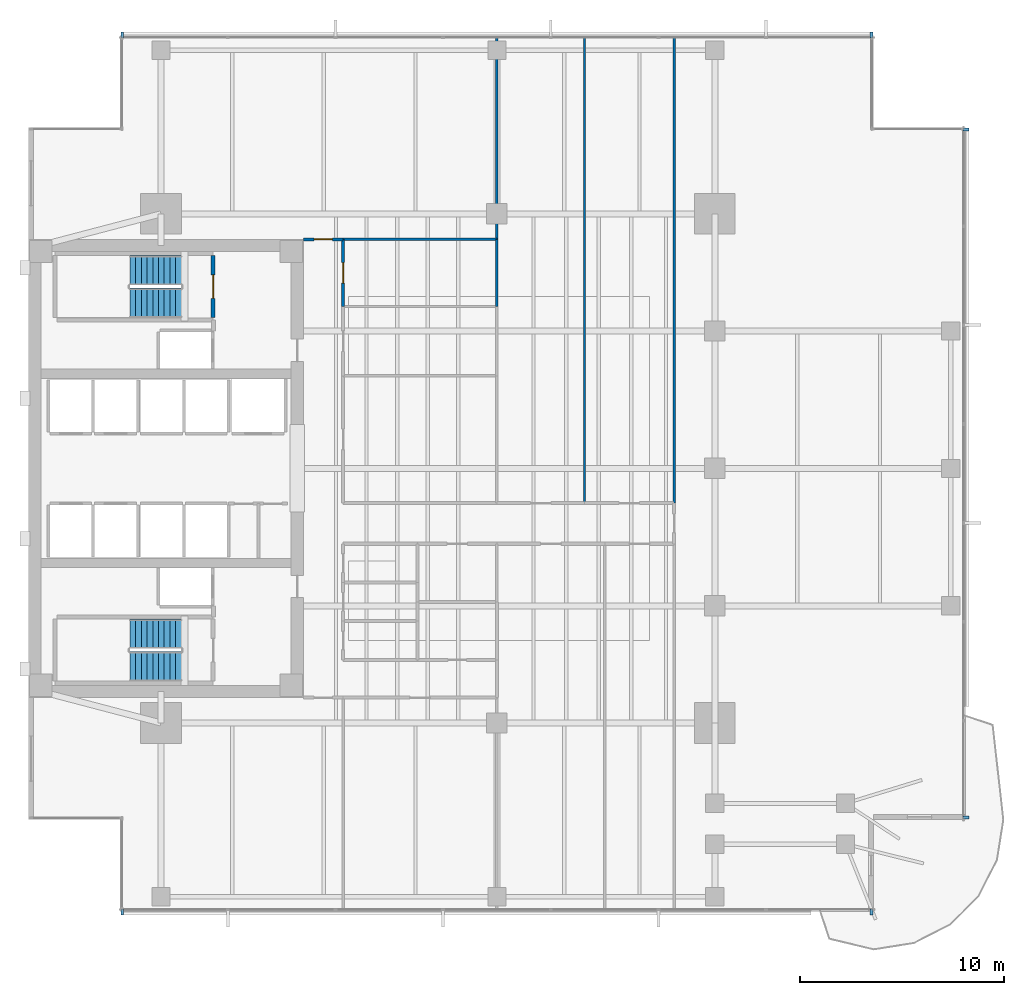
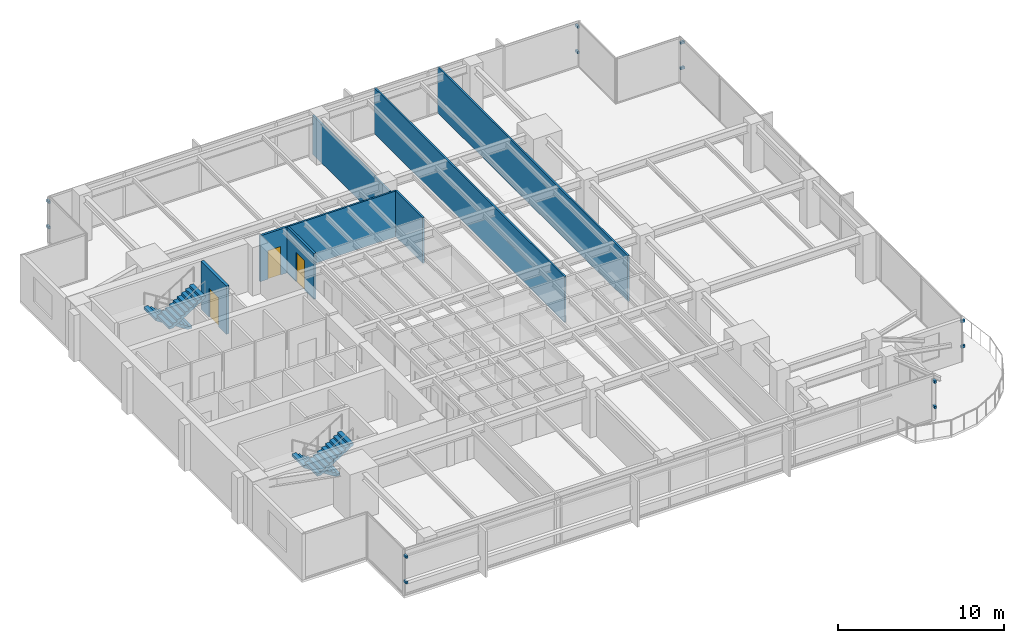
# One storey, part 10 of 14: 12 discrete accessories, 8 walls, 4 stair flights, 3 doors, 3 openings, 2 elements without a shape of their own.
"""IFC4 building model written with IfcOpenShell, lengths in metres."""

from ifc_helpers import new_model, si_unit, direction, frame, frame_2d, origin, origin_2d, place, context, subcontext, project, spatial, polyline, rectangle, outline, extrude, material, layer, layer_set, type_object, element, fill, aggregate, save


model = new_model("IFC4")

# Units and contexts
model_context = context("Model", 3, precision=1e-05, world=origin(), true_north=direction((0.0, 1.0)))
body_context = subcontext(model_context, "Body", "Model", "MODEL_VIEW")
ifc_project = project(units=[si_unit("LENGTHUNIT", "METRE"), si_unit("AREAUNIT", "SQUARE_METRE"), si_unit("VOLUMEUNIT", "CUBIC_METRE"), si_unit("PLANEANGLEUNIT", "RADIAN"), si_unit("MASSUNIT", "GRAM", prefix="KILO")], contexts=[model_context])

# Site, building, storey
site_placement = place(None, origin())
site = spatial("IfcSite", under=ifc_project, at=site_placement, CompositionType="ELEMENT")
building_placement = place(site_placement, origin())
building = spatial("IfcBuilding", under=site, at=building_placement, Name="Kinhvarn Gate Tower", CompositionType="ELEMENT")
storey_placement = place(building_placement, frame((0.0, 0.0, 134.199951171875)))
storey = spatial("IfcBuildingStorey", under=building, at=storey_placement, Name="L35", CompositionType="ELEMENT", Elevation=134.199951171875)

# Walls
ifc_material_1 = material(Name="Gypsum acoustic partition board")
ifc_layer_1 = layer(ifc_material_1, 0.1201171875)
ifc_layer_set_1 = layer_set([ifc_layer_1], Name="Gypsum acoustic partition board")
wall_type_1 = type_object("IfcWallType", Name="WL-PRT-120", PredefinedType="PARTITIONING", material=ifc_layer_set_1)
wall_1_placement = place(storey_placement, frame((19.949951171875, 36.5, 0.0), z_axis=(0.0, 0.0, 1.0), x_axis=(1.0, 0.0, 0.0)))
element("IfcWall", 1, at=wall_1_placement, inside=storey, type_object=wall_type_1, Name="Interior Partition PW-120 (L35)", PredefinedType="PARTITIONING", context=body_context, shape_type="SweptSolid", body=[
    extrude(rectangle(XDim=7.550048828125, YDim=0.1201171875, at=frame_2d((3.77490234375, 0.0))), origin(), (0.0, 0.0, 1.0), 3.3701171875),
])
wall_2_placement = place(storey_placement, frame((27.5, 33.199951171875, 0.0), z_axis=(0.0, 0.0, 1.0), x_axis=(0.0, 1.0, 0.0)))
element("IfcWall", 2, at=wall_2_placement, inside=storey, type_object=wall_type_1, Name="Interior Partition PW-120 (L35)", PredefinedType="PARTITIONING", context=body_context, shape_type="SweptSolid", body=[
    extrude(rectangle(XDim=3.300048828125, YDim=0.1201171875, at=frame_2d((1.64990234375, 0.0))), origin(), (0.0, 0.0, 1.0), 3.3701171875),
])
wall_3_placement = place(storey_placement, frame((27.5, 36.5, 0.0), z_axis=(0.0, 0.0, 1.0), x_axis=(0.0, 1.0, 0.0)))
element("IfcWall", 3, at=wall_3_placement, inside=storey, type_object=wall_type_1, Name="Interior Partition PW-120 (L35)", PredefinedType="PARTITIONING", context=body_context, shape_type="SweptSolid", body=[
    extrude(rectangle(XDim=9.989990234375, YDim=0.1201171875, at=frame_2d((4.9951171875, 0.0))), origin(), (0.0, 0.0, 1.0), 2.8701171875),
])
for number, where, z_axis, x_axis, name in (
    (4, (31.800048828125, 23.550048828125, 0.0), (0.0, 0.0, 1.0), (0.0, 1.0, 0.0), "Interior Partition PW-120 (L35)"),
    (5, (36.199951171875, 23.550048828125, 0.0), (0.0, 0.0, 1.0), (0.0, 1.0, 0.0), "Interior Partition PW-120 (L35)"),
):
    element("IfcWall", number, at=place(storey_placement, frame(where, z_axis=z_axis, x_axis=x_axis)), inside=storey, type_object=wall_type_1, Name=name, PredefinedType="PARTITIONING", context=body_context, shape_type="SweptSolid", body=[
        extrude(rectangle(XDim=22.93994140625, YDim=0.1201171875, at=frame_2d((11.469970703125, 0.0))), origin(), (0.0, 0.0, 1.0), 3.3701171875),
    ])

# Wall, opening, door
ifc_layer_2 = layer(ifc_material_1, 0.14990234375)
ifc_layer_set_2 = layer_set([ifc_layer_2], Name="Gypsum acoustic partition board")
wall_type_2 = type_object("IfcWallType", Name="WL-PRT-150F", PredefinedType="PARTITIONING", material=ifc_layer_set_2)
wall_4_placement = place(storey_placement, frame((19.949951171875, 33.199951171875, 0.0), z_axis=(0.0, 0.0, 1.0), x_axis=(0.0, 1.0, 0.0)))
wall_4 = element("IfcWall", 6, at=wall_4_placement, inside=storey, type_object=wall_type_2, Name="Interior Partition PW-150F (L35)", PredefinedType="PARTITIONING", context=body_context, shape_type="SweptSolid", body=[
    extrude(rectangle(XDim=3.300048828125, YDim=0.14990234375, at=frame_2d((1.64990234375, 0.0))), origin(), (0.0, 0.0, 1.0), 3.3701171875),
])
opening_1_placement = place(wall_4_placement, frame((1.14990234375, 0.0, 0.0)))
opening_1 = element("IfcOpeningElement", 7, at=opening_1_placement, cuts=wall_4, Name="Opening ID-02", PredefinedType="OPENING", context=body_context, shape_type="SweptSolid", body=[
    extrude(rectangle(XDim=1.0, YDim=2.14990234375, at=frame_2d((0.5, 1.074951171875))), frame((0.0, 0.0849609375, 0.0), z_axis=(0.0, -1.0, 0.0), x_axis=(1.0, 0.0, 0.0)), (0.0, 0.0, 1.0), 0.169921875),
])
ifc_material_2 = material(Name="Anodised aluminium AW-6063", Category="aluminium")
door_type_1 = type_object("IfcDoorType", Name="DR-INT-1000", OperationType="NOTDEFINED", PredefinedType="DOOR", material=ifc_material_2)
door_1_placement = place(opening_1_placement, origin())
door_1 = element("IfcDoor", 8, at=door_1_placement, inside=storey, type_object=door_type_1, Name="Standard Office & Meeting Room Door 1000x2150 mm (L35)", OperationType="SINGLE_SWING_RIGHT", OverallHeight=2.14990234375, OverallWidth=1.0, PredefinedType="DOOR", context=body_context, shape_type="SweptSolid", body=[
    extrude(rectangle(XDim=1.0, YDim=2.14990234375, at=frame_2d((0.5, 1.074951171875))), frame((0.0, 0.02490234375, 0.0), z_axis=(0.0, -1.0, 0.0), x_axis=(1.0, 0.0, 0.0)), (0.0, 0.0, 1.0), 0.050048828125),
])
fill(opening_1, door_1)

wall_5_placement = place(storey_placement, frame((18.0, 36.5, 0.0), z_axis=(0.0, 0.0, 1.0), x_axis=(1.0, 0.0, 0.0)))
wall_5 = element("IfcWall", 9, at=wall_5_placement, inside=storey, type_object=wall_type_2, Name="Interior Partition PW-150F (L35)", PredefinedType="PARTITIONING", context=body_context, shape_type="SweptSolid", body=[
    extrude(rectangle(XDim=1.949951171875, YDim=0.14990234375, at=frame_2d((0.97509765625, 0.0))), origin(), (0.0, 0.0, 1.0), 3.3701171875),
])
opening_2_placement = place(wall_5_placement, frame((0.52490234375, 0.0, 0.0)))
opening_2 = element("IfcOpeningElement", 10, at=opening_2_placement, cuts=wall_5, Name="Opening ID-03", PredefinedType="OPENING", context=body_context, shape_type="SweptSolid", body=[
    extrude(rectangle(XDim=0.89990234375, YDim=2.10009765625, at=frame_2d((0.449951171875, 1.050048828125))), frame((0.0, 0.0849609375, 0.0), z_axis=(0.0, -1.0, 0.0), x_axis=(1.0, 0.0, 0.0)), (0.0, 0.0, 1.0), 0.169921875),
])
door_type_2 = type_object("IfcDoorType", Name="DR-INT-900", OperationType="NOTDEFINED", PredefinedType="DOOR", material=ifc_material_2)
door_2_placement = place(opening_2_placement, origin())
door_2 = element("IfcDoor", 11, at=door_2_placement, inside=storey, type_object=door_type_2, Name="Cellular Office & Restroom Door 900x2100 mm (L35)", OperationType="SINGLE_SWING_RIGHT", OverallHeight=2.10009765625, OverallWidth=0.89990234375, PredefinedType="DOOR", context=body_context, shape_type="SweptSolid", body=[
    extrude(rectangle(XDim=0.89990234375, YDim=2.10009765625, at=frame_2d((0.449951171875, 1.050048828125))), frame((0.0, 0.02490234375, 0.0), z_axis=(0.0, -1.0, 0.0), x_axis=(1.0, 0.0, 0.0)), (0.0, 0.0, 1.0), 0.050048828125),
])
fill(opening_2, door_2)

ifc_material_3 = material(Name="Concrete C40/50", Category="concrete")
ifc_layer_3 = layer(ifc_material_3, 0.199951171875)
ifc_layer_set_3 = layer_set([ifc_layer_3], Name="Concrete C40/50")
wall_type_3 = type_object("IfcWallType", Name="WL-SHF-200", PredefinedType="SOLIDWALL", material=ifc_layer_set_3)
wall_6_placement = place(storey_placement, frame((13.56005859375, 32.64990234375, 0.0), z_axis=(0.0, 0.0, 1.0), x_axis=(0.0, 1.0, 0.0)))
wall_6 = element("IfcWall", 12, at=wall_6_placement, inside=storey, type_object=wall_type_3, Name="Stair ST2 East Entry Wall (L35)", PredefinedType="SOLIDWALL", context=body_context, shape_type="SweptSolid", body=[
    extrude(rectangle(XDim=3.050048828125, YDim=0.199951171875, at=frame_2d((1.52490234375, 0.0))), origin(), (0.0, 0.0, 1.0), 3.550048828125),
])
opening_3_placement = place(wall_6_placement, frame((0.949951171875, 0.0, 0.0)))
opening_3 = element("IfcOpeningElement", 13, at=opening_3_placement, cuts=wall_6, Name="Opening FD-01", PredefinedType="OPENING", context=body_context, shape_type="SweptSolid", body=[
    extrude(rectangle(XDim=1.14990234375, YDim=2.14990234375, at=frame_2d((0.574951171875, 1.074951171875))), frame((0.0, 0.10986328125, 0.0), z_axis=(0.0, -1.0, 0.0), x_axis=(1.0, 0.0, 0.0)), (0.0, 0.0, 1.0), 0.219970703125),
])
door_type_3 = type_object("IfcDoorType", Name="DR-ST-1150", OperationType="NOTDEFINED", PredefinedType="DOOR", material=ifc_material_2)
door_3_placement = place(opening_3_placement, origin())
door_3 = element("IfcDoor", 14, at=door_3_placement, inside=storey, type_object=door_type_3, Name="Exit Stair ST2 Fire Door (L35)", OperationType="SINGLE_SWING_RIGHT", OverallHeight=2.14990234375, OverallWidth=1.14990234375, PredefinedType="DOOR", context=body_context, shape_type="SweptSolid", body=[
    extrude(rectangle(XDim=1.14990234375, YDim=2.14990234375, at=frame_2d((0.574951171875, 1.074951171875))), frame((0.0, 0.02490234375, 0.0), z_axis=(0.0, -1.0, 0.0), x_axis=(1.0, 0.0, 0.0)), (0.0, 0.0, 1.0), 0.050048828125),
])
fill(opening_3, door_3)

# Stair, stair flights
stair_type = type_object("IfcStairType", Name="STR-DLG-178", PredefinedType="HALF_TURN_STAIR", material=ifc_material_3)
stair_1_placement = place(storey_placement, origin())
stair_1 = element("IfcStair", 15, at=stair_1_placement, inside=storey, type_object=stair_type, Name="L35 Core Smokeproof Exit Stair ST1", PredefinedType="HALF_TURN_STAIR")
stair_flight_type = type_object("IfcStairFlightType", Name="STF-DLG-178", PredefinedType="STRAIGHT", material=ifc_material_3)
stair_flight_1_placement = place(storey_placement, frame((12.0, 17.125, 0.0), z_axis=(0.0, 0.0, 1.0), x_axis=(-1.0, 0.0, 0.0)))
stair_flight_1 = element("IfcStairFlight", 16, at=stair_flight_1_placement, type_object=stair_flight_type, Name="ST1 flight 1", NumberOfRisers=10, NumberOfTreads=9, PredefinedType="STRAIGHT", RiserHeight=0.1775, TreadLength=0.28, context=body_context, shape_type="SweptSolid", body=[
    extrude(outline(polyline([(0.0, 0.0), (0.0, 0.177490234375), (0.280029296875, 0.177490234375), (0.280029296875, 0.35498046875), (0.56005859375, 0.35498046875), (0.56005859375, 0.532470703125), (0.840087890625, 0.532470703125), (0.840087890625, 0.7099609375), (1.1201171875, 0.7099609375), (1.1201171875, 0.887451171875), (1.39990234375, 0.887451171875), (1.39990234375, 1.06494140625), (1.679931640625, 1.06494140625), (1.679931640625, 1.242431640625), (1.9599609375, 1.242431640625), (1.9599609375, 1.419921875), (2.239990234375, 1.419921875), (2.239990234375, 1.597412109375), (2.52001953125, 1.597412109375), (2.52001953125, 1.77490234375), (2.52001953125, 1.419921875), (0.280029296875, 0.0), (0.0, 0.0)])), frame((0.0, 0.72509765625, 0.0), z_axis=(0.0, -1.0, 0.0), x_axis=(1.0, 0.0, 0.0)), (0.0, 0.0, 1.0), 1.449951171875),
])
stair_flight_2_placement = place(storey_placement, frame((9.47998046875, 15.52490234375, 1.775146484375), z_axis=(0.0, 0.0, 1.0), x_axis=(1.0, 0.0, 0.0)))
stair_flight_2 = element("IfcStairFlight", 17, at=stair_flight_2_placement, type_object=stair_flight_type, Name="ST1 flight 2", NumberOfRisers=10, NumberOfTreads=9, PredefinedType="STRAIGHT", RiserHeight=0.1775, TreadLength=0.28, context=body_context, shape_type="SweptSolid", body=[
    extrude(outline(polyline([(0.0, 0.0), (0.0, 0.177490234375), (0.280029296875, 0.177490234375), (0.280029296875, 0.35498046875), (0.56005859375, 0.35498046875), (0.56005859375, 0.532470703125), (0.840087890625, 0.532470703125), (0.840087890625, 0.7099609375), (1.1201171875, 0.7099609375), (1.1201171875, 0.887451171875), (1.39990234375, 0.887451171875), (1.39990234375, 1.06494140625), (1.679931640625, 1.06494140625), (1.679931640625, 1.242431640625), (1.9599609375, 1.242431640625), (1.9599609375, 1.419921875), (2.239990234375, 1.419921875), (2.239990234375, 1.597412109375), (2.52001953125, 1.597412109375), (2.52001953125, 1.77490234375), (2.52001953125, 1.419921875), (0.280029296875, 0.0), (0.0, 0.0)])), frame((0.0, 0.72509765625, 0.0), z_axis=(0.0, -1.0, 0.0), x_axis=(1.0, 0.0, 0.0)), (0.0, 0.0, 1.0), 1.449951171875),
])
aggregate(stair_1, [stair_flight_1, stair_flight_2])

stair_2_placement = place(storey_placement, origin())
stair_2 = element("IfcStair", 18, at=stair_2_placement, inside=storey, type_object=stair_type, Name="L35 Core Smokeproof Exit Stair ST2", PredefinedType="HALF_TURN_STAIR")
stair_flight_3_placement = place(storey_placement, frame((12.0, 34.97509765625, 0.0), z_axis=(0.0, 0.0, 1.0), x_axis=(-1.0, 0.0, 0.0)))
stair_flight_3 = element("IfcStairFlight", 19, at=stair_flight_3_placement, type_object=stair_flight_type, Name="ST2 flight 1", NumberOfRisers=10, NumberOfTreads=9, PredefinedType="STRAIGHT", RiserHeight=0.1775, TreadLength=0.28, context=body_context, shape_type="SweptSolid", body=[
    extrude(outline(polyline([(0.0, 0.0), (0.0, 0.177490234375), (0.280029296875, 0.177490234375), (0.280029296875, 0.35498046875), (0.56005859375, 0.35498046875), (0.56005859375, 0.532470703125), (0.840087890625, 0.532470703125), (0.840087890625, 0.7099609375), (1.1201171875, 0.7099609375), (1.1201171875, 0.887451171875), (1.39990234375, 0.887451171875), (1.39990234375, 1.06494140625), (1.679931640625, 1.06494140625), (1.679931640625, 1.242431640625), (1.9599609375, 1.242431640625), (1.9599609375, 1.419921875), (2.239990234375, 1.419921875), (2.239990234375, 1.597412109375), (2.52001953125, 1.597412109375), (2.52001953125, 1.77490234375), (2.52001953125, 1.419921875), (0.280029296875, 0.0), (0.0, 0.0)])), frame((0.0, 0.72509765625, 0.0), z_axis=(0.0, -1.0, 0.0), x_axis=(1.0, 0.0, 0.0)), (0.0, 0.0, 1.0), 1.449951171875),
])
stair_flight_4_placement = place(storey_placement, frame((9.47998046875, 33.375, 1.775146484375), z_axis=(0.0, 0.0, 1.0), x_axis=(1.0, 0.0, 0.0)))
stair_flight_4 = element("IfcStairFlight", 20, at=stair_flight_4_placement, type_object=stair_flight_type, Name="ST2 flight 2", NumberOfRisers=10, NumberOfTreads=9, PredefinedType="STRAIGHT", RiserHeight=0.1775, TreadLength=0.28, context=body_context, shape_type="SweptSolid", body=[
    extrude(outline(polyline([(0.0, 0.0), (0.0, 0.177490234375), (0.280029296875, 0.177490234375), (0.280029296875, 0.35498046875), (0.56005859375, 0.35498046875), (0.56005859375, 0.532470703125), (0.840087890625, 0.532470703125), (0.840087890625, 0.7099609375), (1.1201171875, 0.7099609375), (1.1201171875, 0.887451171875), (1.39990234375, 0.887451171875), (1.39990234375, 1.06494140625), (1.679931640625, 1.06494140625), (1.679931640625, 1.242431640625), (1.9599609375, 1.242431640625), (1.9599609375, 1.419921875), (2.239990234375, 1.419921875), (2.239990234375, 1.597412109375), (2.52001953125, 1.597412109375), (2.52001953125, 1.77490234375), (2.52001953125, 1.419921875), (0.280029296875, 0.0), (0.0, 0.0)])), frame((0.0, 0.72509765625, 0.0), z_axis=(0.0, -1.0, 0.0), x_axis=(1.0, 0.0, 0.0)), (0.0, 0.0, 1.0), 1.449951171875),
])
aggregate(stair_2, [stair_flight_3, stair_flight_4])

# Discrete accessories
discrete_accessory_type = type_object("IfcDiscreteAccessoryType", Name="ACC-BRK-01", PredefinedType="BRACKET", material=ifc_material_2)
for number, where, z_axis, x_axis, name in (
    (21, (9.10009765625, 3.469970703125, 0.9599609375), (0.0, 0.0, 1.0), (1.0, 0.0, 0.0), "Baguette Support Bracket BK-01 (L35)"),
    (22, (9.10009765625, 3.469970703125, 2.830078125), (0.0, 0.0, 1.0), (1.0, 0.0, 0.0), "Baguette Support Bracket BK-01 (L35)"),
    (23, (45.89990234375, 3.469970703125, 0.9599609375), (0.0, 0.0, 1.0), (1.0, 0.0, 0.0), "Baguette Support Bracket BK-01 (L35)"),
    (24, (45.89990234375, 3.469970703125, 2.830078125), (0.0, 0.0, 1.0), (1.0, 0.0, 0.0), "Baguette Support Bracket BK-01 (L35)"),
    (25, (45.89990234375, 46.530029296875, 0.9599609375), (0.0, 0.0, 1.0), (-1.0, 0.0, 0.0), "Baguette Support Bracket BK-01 (L35)"),
    (26, (45.89990234375, 46.530029296875, 2.830078125), (0.0, 0.0, 1.0), (-1.0, 0.0, 0.0), "Baguette Support Bracket BK-01 (L35)"),
    (27, (9.10009765625, 46.530029296875, 0.9599609375), (0.0, 0.0, 1.0), (-1.0, 0.0, 0.0), "Baguette Support Bracket BK-01 (L35)"),
    (28, (9.10009765625, 46.530029296875, 2.830078125), (0.0, 0.0, 1.0), (-1.0, 0.0, 0.0), "Baguette Support Bracket BK-01 (L35)"),
    (29, (50.530029296875, 8.10009765625, 0.9599609375), (0.0, 0.0, 1.0), (0.0, 1.0, 0.0), "Baguette Support Bracket BK-01 (L35)"),
    (30, (50.530029296875, 8.10009765625, 2.830078125), (0.0, 0.0, 1.0), (0.0, 1.0, 0.0), "Baguette Support Bracket BK-01 (L35)"),
    (31, (50.530029296875, 41.89990234375, 0.9599609375), (0.0, 0.0, 1.0), (0.0, 1.0, 0.0), "Baguette Support Bracket BK-01 (L35)"),
    (32, (50.530029296875, 41.89990234375, 2.830078125), (0.0, 0.0, 1.0), (0.0, 1.0, 0.0), "Baguette Support Bracket BK-01 (L35)"),
):
    element("IfcDiscreteAccessory", number, at=place(storey_placement, frame(where, z_axis=z_axis, x_axis=x_axis)), inside=storey, type_object=discrete_accessory_type, Name=name, PredefinedType="BRACKET", context=body_context, shape_type="SweptSolid", body=[
        extrude(rectangle(XDim=0.139892578125, YDim=0.280029296875, at=origin_2d()), origin(), (0.0, 0.0, 1.0), 0.179931640625),
    ])

save(model, "model.ifc")
